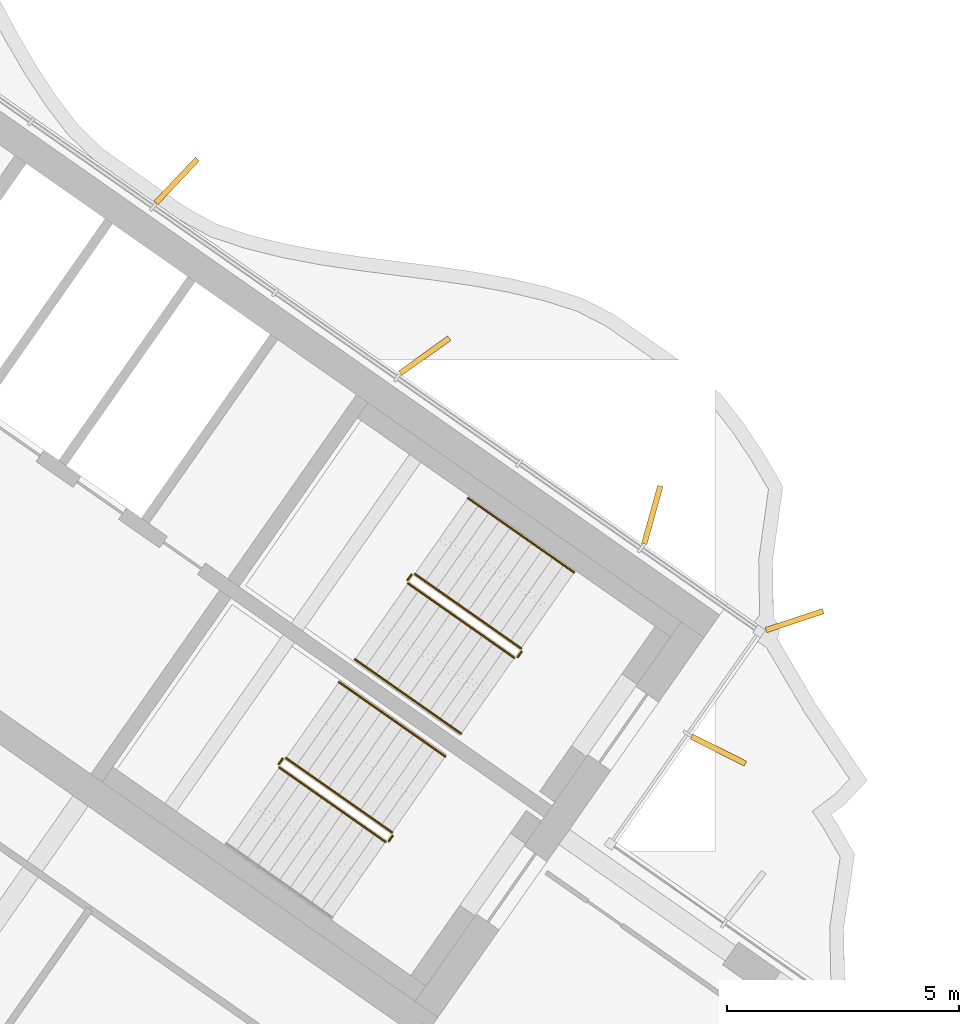
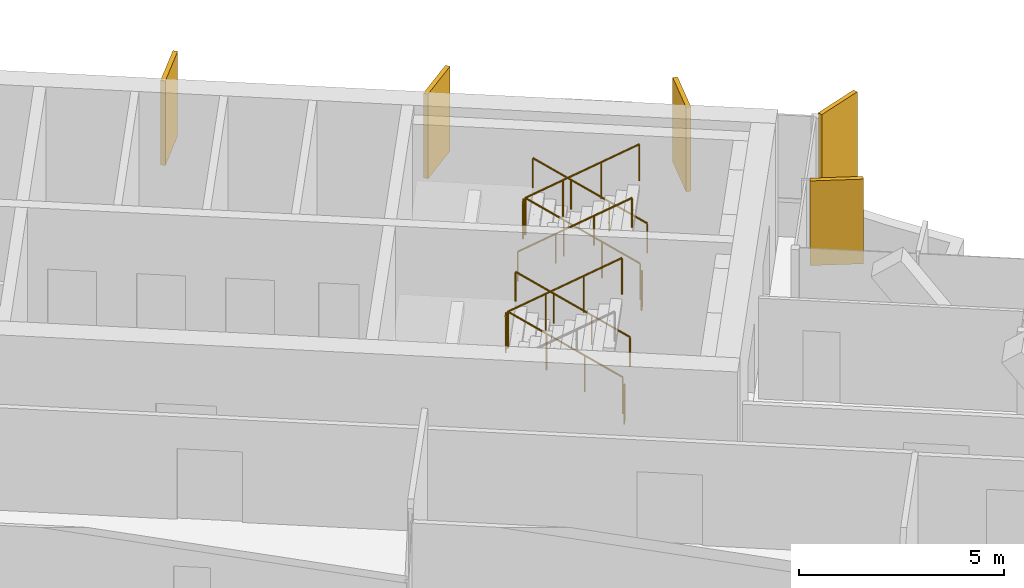
# One storey, part 17 of 18: 11 railings, 5 shading devices.
"""IFC4 building model written with IfcOpenShell, lengths in metres."""

import ifcopenshell
import ifcopenshell.guid

model = None  # the IFC model being written
_history = None  # IfcOwnerHistory: only IFC2X3 demands one
_inside = {}  # id of a spatial element -> (the spatial element, [elements in it])
_under = {}  # id of a project, library or spatial element -> (it, [spatial elements below it])
_declared = {}  # id of a project -> (the project, [libraries it declares])
_typed = {}  # id of a type object -> (the type object, [elements of that type])
_made_of = {}  # id of a material, layer set ... -> (it, [elements and type objects made of it])


def new_model(schema):
    """Start an empty IFC model of exactly this schema.

    Asked for "IFC4X3", IfcOpenShell would pick the latest addendum, in which some entities
    have other attributes; the version numbers below select the first issue.
    IFC2X3 requires an IfcOwnerHistory on every rooted entity: one is made here for all.
    """
    global model, _history
    if schema == "IFC4X3":
        model = ifcopenshell.file(schema_version=(4, 3, 0, 0))
    else:
        model = ifcopenshell.file(schema=schema)
    _inside.clear()
    _under.clear()
    _declared.clear()
    _typed.clear()
    _made_of.clear()
    _history = None
    if model.schema == "IFC2X3":
        org = make("IfcOrganization", Name="unknown")
        user = make(
            "IfcPersonAndOrganization",
            ThePerson=make("IfcPerson", FamilyName="unknown"),
            TheOrganization=org,
        )
        app = make(
            "IfcApplication",
            ApplicationDeveloper=org,
            Version="unknown",
            ApplicationFullName="unknown",
            ApplicationIdentifier="unknown",
        )
        _history = make(
            "IfcOwnerHistory",
            OwningUser=user,
            OwningApplication=app,
            ChangeAction="ADDED",
            CreationDate=0,
        )
    return model


def make(cls, **values):
    """One entity of the class cls with the attributes given. An attribute that is None is left unset."""
    return model.create_entity(
        cls, **{name: value for name, value in values.items() if value is not None}
    )


def rooted(cls, **values):
    """An entity with a GlobalId (a new one), such as an element, a storey or a relation."""
    return make(cls, GlobalId=ifcopenshell.guid.new(), OwnerHistory=_history, **values)


def si_unit(unit_type, name, prefix=None):
    """IfcSIUnit, for example si_unit("LENGTHUNIT", "METRE", prefix="MILLI")."""
    return make("IfcSIUnit", UnitType=unit_type, Prefix=prefix, Name=name)


def assignment(units):
    """IfcUnitAssignment: the units of a project."""
    return None if units is None else make("IfcUnitAssignment", Units=units)


def point(xyz):
    """IfcCartesianPoint."""
    return None if xyz is None else make("IfcCartesianPoint", Coordinates=xyz)


def direction(xyz):
    """IfcDirection."""
    return None if xyz is None else make("IfcDirection", DirectionRatios=xyz)


def frame(location, z_axis=None, x_axis=None):
    """IfcAxis2Placement3D, a coordinate frame: its origin and axes. An axis left out is left unset."""
    return make(
        "IfcAxis2Placement3D",
        Location=point(location),
        Axis=direction(z_axis),
        RefDirection=direction(x_axis),
    )


def frame_2d(location, x_axis=None):
    """IfcAxis2Placement2D, a coordinate frame in the plane: its origin and x axis."""
    return make(
        "IfcAxis2Placement2D", Location=point(location), RefDirection=direction(x_axis)
    )


def origin():
    """The frame at (0, 0, 0) with its axes left unset."""
    return frame((0.0, 0.0, 0.0))


def origin_2d():
    """The frame at (0, 0) in the plane with its x axis left unset."""
    return frame_2d((0.0, 0.0))


def place(relative_to, where):
    """IfcLocalPlacement: puts the frame where relative to a parent placement (None: the world)."""
    return make(
        "IfcLocalPlacement", PlacementRelTo=relative_to, RelativePlacement=where
    )


def context(
    kind, dimensions, precision=None, world=None, true_north=None, identifier=None
):
    """IfcGeometricRepresentationContext, for example the 3D "Model" context."""
    return make(
        "IfcGeometricRepresentationContext",
        ContextIdentifier=identifier,
        ContextType=kind,
        CoordinateSpaceDimension=dimensions,
        Precision=precision,
        WorldCoordinateSystem=world,
        TrueNorth=true_north,
    )


def subcontext(parent, identifier, kind, view, scale=None):
    """IfcGeometricRepresentationSubContext, for example "Body" below "Model"."""
    return make(
        "IfcGeometricRepresentationSubContext",
        ContextIdentifier=identifier,
        ContextType=kind,
        ParentContext=parent,
        TargetScale=scale,
        TargetView=view,
    )


def project(units=None, contexts=None):
    """IfcProject with its units and contexts."""
    return rooted(
        "IfcProject",
        Name="project",
        RepresentationContexts=contexts,
        UnitsInContext=assignment(units),
    )


def spatial(cls, under=None, at=None, **own):
    """A site, building, storey or space (cls), placed at a placement, below another one or the project."""
    s = rooted(cls, ObjectPlacement=at, **own)
    if under is not None:
        _under.setdefault(under.id(), (under, []))[1].append(s)
    return s


def profile(cls, at=None, kind="AREA", **sizes):
    """A parametric profile (cls). Its sizes go by their IFC names, for example OverallWidth=200.0."""
    return make(cls, ProfileType=kind, Position=at, **sizes)


def rectangle(**sizes):
    """IfcRectangleProfileDef."""
    return profile("IfcRectangleProfileDef", **sizes)


def circle(**sizes):
    """IfcCircleProfileDef."""
    return profile("IfcCircleProfileDef", **sizes)


def extrude(swept, where, along, depth):
    """IfcExtrudedAreaSolid: the profile swept, set in the frame where, extruded along a direction by depth."""
    return make(
        "IfcExtrudedAreaSolid",
        SweptArea=swept,
        Position=where,
        ExtrudedDirection=direction(along),
        Depth=depth,
    )


def shape(context_of_items, identifier, shape_type, items):
    """IfcShapeRepresentation: the items that make up one representation, for example the "Body"."""
    return make(
        "IfcShapeRepresentation",
        ContextOfItems=context_of_items,
        RepresentationIdentifier=identifier,
        RepresentationType=shape_type,
        Items=items,
    )


def material(Name=None, Category=None):
    """IfcMaterial."""
    return make("IfcMaterial", Name=Name, Category=Category)


def layer(
    of_material, thickness, ventilated=None, Name=None, Category=None, Priority=None
):
    """IfcMaterialLayer: one layer of a wall or slab, of a material (None: an air gap)."""
    return make(
        "IfcMaterialLayer",
        Material=of_material,
        LayerThickness=thickness,
        IsVentilated=ventilated,
        Name=Name,
        Category=Category,
        Priority=Priority,
    )


def layer_set(layers, Name=None):
    """IfcMaterialLayerSet."""
    return make("IfcMaterialLayerSet", MaterialLayers=layers, LayerSetName=Name)


def made_of(thing, what):
    """Note that an element or type object is made of a material, layer set ...; save() writes the relation."""
    if what is not None:
        _made_of.setdefault(what.id(), (what, []))[1].append(thing)
    return thing


def type_object(cls, material=None, **own):
    """A type object (cls), such as IfcWallType, which elements share."""
    return made_of(rooted(cls, **own), material)


def element(
    cls,
    number,
    at=None,
    inside=None,
    cuts=None,
    type_object=None,
    material=None,
    context=None,
    identifier="Body",
    shape_type=None,
    held_by="IfcProductDefinitionShape",
    body=None,
    shapes=None,
    **own,
):
    """One element of the class cls, such as IfcWall. Its Tag is "e" and its number.

    at: its placement. inside: the storey or other place that contains it. cuts: it is an
    opening in that element (IfcRelVoidsElement). A single representation is given by context,
    identifier, shape_type and body (its items); several are given by shapes. held_by: the class
    of the entity that holds the representations. save() writes the other relations.
    """
    e = rooted(cls, Tag="e%d" % number, ObjectPlacement=at, **own)
    if body is not None:
        shapes = [shape(context, identifier, shape_type, body)]
    if shapes is not None:
        e.Representation = make(held_by, Representations=shapes)
    if inside is not None:
        _inside.setdefault(inside.id(), (inside, []))[1].append(e)
    if cuts is not None:
        rooted(
            "IfcRelVoidsElement", RelatingBuildingElement=cuts, RelatedOpeningElement=e
        )
    if type_object is not None:
        _typed.setdefault(type_object.id(), (type_object, []))[1].append(e)
    return made_of(e, material)


def aggregate(whole, parts):
    """IfcRelAggregates: a whole, such as a stair, and the parts it consists of."""
    return rooted("IfcRelAggregates", RelatingObject=whole, RelatedObjects=parts)


def save(model, path):
    """Write the relations noted so far, then the file.

    IfcRelAggregates (storeys below a building ...), IfcRelContainedInSpatialStructure (elements
    in a storey), IfcRelDefinesByType, IfcRelAssociatesMaterial and IfcRelDeclares: one each for
    every whole, place, type object, material and project.
    """
    for whole, parts in _under.values():
        aggregate(whole, parts)
    for where, things in _inside.values():
        rooted(
            "IfcRelContainedInSpatialStructure",
            RelatedElements=things,
            RelatingStructure=where,
        )
    for kind, things in _typed.values():
        rooted("IfcRelDefinesByType", RelatedObjects=things, RelatingType=kind)
    for what, things in _made_of.values():
        rooted("IfcRelAssociatesMaterial", RelatedObjects=things, RelatingMaterial=what)
    for by, libraries in _declared.values():
        rooted("IfcRelDeclares", RelatingContext=by, RelatedDefinitions=libraries)
    model.write(path)


model = new_model("IFC4")

# Units and contexts
model_context = context("Model", 3, precision=1e-05, world=origin(), true_north=direction((0.0, 1.0)))
body_context = subcontext(model_context, "Body", "Model", "MODEL_VIEW")
ifc_project = project(units=[si_unit("LENGTHUNIT", "METRE"), si_unit("AREAUNIT", "SQUARE_METRE"), si_unit("VOLUMEUNIT", "CUBIC_METRE"), si_unit("PLANEANGLEUNIT", "RADIAN"), si_unit("MASSUNIT", "GRAM", prefix="KILO")], contexts=[model_context])

# Site, building, storey
site_placement = place(None, origin())
site = spatial("IfcSite", under=ifc_project, at=site_placement, CompositionType="ELEMENT")
building_placement = place(site_placement, origin())
building = spatial("IfcBuilding", under=site, at=building_placement, Name="Tel Ilan Convention Tower", CompositionType="ELEMENT")
storey_placement = place(building_placement, frame((0.0, 0.0, 268.300048828125)))
storey = spatial("IfcBuildingStorey", under=building, at=storey_placement, Name="L63", CompositionType="ELEMENT", Elevation=268.300048828125)

# Shading devices
ifc_material_1 = material(Name="Aluminium, bronze anodised", Category="aluminium")
ifc_layer = layer(ifc_material_1, 0.1201171875)
ifc_layer_set = layer_set([ifc_layer], Name="FIN BRONZE 1300x120")
shading_device_type = type_object("IfcShadingDeviceType", Name="FIN BRONZE 1300x120", PredefinedType="USERDEFINED", material=ifc_layer_set)
for number, where, z_axis, x_axis, name in (
    (1, (27.9404296875, -10.049072265625, 1.099853515625), (0.0, 0.0, 1.0), (0.893632640321, -0.448799180206, 0.0), "FIN"),
    (2, (29.583984375, -7.253173828125, 1.099853515625), (0.0, 0.0, 1.0), (0.949242643575, 0.314544756146, 0.0), "FIN"),
    (3, (26.51171875, -4.9736328125, 1.099853515625), (0.0, 0.0, 1.0), (0.268172612768, 0.963370878614, 0.0), "FIN"),
    (4, (21.600830078125, -1.534912109375, 1.099853515625), (0.0, 0.0, 1.0), (0.813552070258, 0.581492071294, 0.0), "FIN"),
    (5, (16.24658203125, 2.2373046875, 1.099853515625), (0.0, 0.0, 1.0), (0.686241637865, 0.727373641577, 0.0), "FIN"),
):
    element("IfcShadingDevice", number, at=place(storey_placement, frame(where, z_axis=z_axis, x_axis=x_axis)), inside=storey, type_object=shading_device_type, Name=name, ObjectType="FIN", PredefinedType="USERDEFINED", context=body_context, shape_type="SweptSolid", body=[
        extrude(rectangle(XDim=1.300048828125, YDim=0.1201171875, at=origin_2d()), origin(), (0.0, 0.0, 1.0), 2.52001953125),
    ])

# Railings
ifc_material_2 = material(Name="Stainless Steel Grade 316", Category="steel")
railing_type_1 = type_object("IfcRailingType", Name="Stainless Steel Stair Guard 1100 mm", PredefinedType="GUARDRAIL", material=ifc_material_2)
railing_1_placement = place(storey_placement, frame((23.6787109375, -7.8515625, 0.17724609375)))
element("IfcRailing", 6, at=railing_1_placement, inside=storey, type_object=railing_type_1, Name="L63 S3 stair guard 1", PredefinedType="GUARDRAIL", context=body_context, shape_type="SweptSolid", body=[
    extrude(circle(Radius=0.02392578125, at=origin_2d()), frame((0.0, 0.0, 1.076171875), z_axis=(-0.692084706163, 0.484621375041, 0.534940073605), x_axis=(-0.573591086599, -0.819141785879, 0.0)), (0.0, 0.0, 1.0), 3.313720703125),
    extrude(circle(Radius=0.02099609375, at=origin_2d()), origin(), (0.0, 0.0, 1.0), 1.052001953125),
    extrude(circle(Radius=0.02099609375, at=origin_2d()), frame((-0.764404296875, 0.535400390625, 0.5908203125)), (0.0, 0.0, 1.0), 1.052001953125),
    extrude(circle(Radius=0.02099609375, at=origin_2d()), frame((-1.529052734375, 1.070556640625, 1.181884765625)), (0.0, 0.0, 1.0), 1.052001953125),
    extrude(circle(Radius=0.02099609375, at=origin_2d()), frame((-2.29345703125, 1.60595703125, 1.772705078125)), (0.0, 0.0, 1.0), 1.052001953125),
])
railing_2_placement = place(storey_placement, frame((21.3154296875, -6.2578125, 1.949951171875)))
element("IfcRailing", 7, at=railing_2_placement, inside=storey, type_object=railing_type_1, Name="L63 S3 stair guard 2", PredefinedType="GUARDRAIL", context=body_context, shape_type="SweptSolid", body=[
    extrude(circle(Radius=0.02392578125, at=origin_2d()), frame((0.0, 0.0, 1.076171875), z_axis=(-0.573353020881, -0.819308436089, 0.0), x_axis=(0.819308436089, -0.573353020881, 0.0)), (0.0, 0.0, 1.0), 0.14990234375),
    extrude(circle(Radius=0.02099609375, at=origin_2d()), origin(), (0.0, 0.0, 1.0), 1.052001953125),
    extrude(circle(Radius=0.02099609375, at=origin_2d()), frame((-0.0859375, -0.122802734375, 0.0)), (0.0, 0.0, 1.0), 1.052001953125),
])
railing_3_placement = place(storey_placement, frame((21.24169921875, -6.4501953125, 2.127197265625)))
element("IfcRailing", 8, at=railing_3_placement, inside=storey, type_object=railing_type_1, Name="L63 S3 stair guard 3", PredefinedType="GUARDRAIL", context=body_context, shape_type="SweptSolid", body=[
    extrude(circle(Radius=0.02392578125, at=origin_2d()), frame((0.0, 0.0, 1.076171875), z_axis=(0.692098378994, -0.484653031975, 0.534893701956), x_axis=(0.573608623498, 0.819129505664, 0.0)), (0.0, 0.0, 1.0), 3.314208984375),
    extrude(circle(Radius=0.02099609375, at=origin_2d()), origin(), (0.0, 0.0, 1.0), 1.052001953125),
    extrude(circle(Radius=0.02099609375, at=origin_2d()), frame((0.7646484375, -0.535400390625, 0.5908203125)), (0.0, 0.0, 1.0), 1.052001953125),
    extrude(circle(Radius=0.02099609375, at=origin_2d()), frame((1.529052734375, -1.07080078125, 1.181884765625)), (0.0, 0.0, 1.0), 1.052001953125),
    extrude(circle(Radius=0.02099609375, at=origin_2d()), frame((2.293701171875, -1.606201171875, 1.772705078125)), (0.0, 0.0, 1.0), 1.052001953125),
])
railing_4_placement = place(storey_placement, frame((23.691162109375, -7.921142578125, 0.0)))
element("IfcRailing", 9, at=railing_4_placement, inside=storey, type_object=railing_type_1, Name="L63 S3 stair guard 4", PredefinedType="GUARDRAIL", context=body_context, shape_type="SweptSolid", body=[
    extrude(circle(Radius=0.02392578125, at=origin_2d()), frame((0.0, 0.0, 1.076171875), z_axis=(-0.574444878118, -0.818543268254, 0.0), x_axis=(0.818543268254, -0.574444878118, 0.0)), (0.0, 0.0, 1.0), 0.150146484375),
    extrude(circle(Radius=0.02099609375, at=origin_2d()), origin(), (0.0, 0.0, 1.0), 1.052001953125),
    extrude(circle(Radius=0.02099609375, at=origin_2d()), frame((-0.086181640625, -0.122802734375, 0.0)), (0.0, 0.0, 1.0), 1.052001953125),
])
railing_5_placement = place(storey_placement, frame((20.89697265625, -11.824462890625, 0.17724609375)))
element("IfcRailing", 10, at=railing_5_placement, inside=storey, type_object=railing_type_1, Name="L63 S4 stair guard 1", PredefinedType="GUARDRAIL", context=body_context, shape_type="SweptSolid", body=[
    extrude(circle(Radius=0.02392578125, at=origin_2d()), frame((0.0, 0.0, 1.076171875), z_axis=(-0.692123088272, 0.484596665743, 0.534912798717), x_axis=(-0.573550118428, -0.819170471667, 0.0)), (0.0, 0.0, 1.0), 3.31396484375),
    extrude(circle(Radius=0.02099609375, at=origin_2d()), origin(), (0.0, 0.0, 1.0), 1.052001953125),
    extrude(circle(Radius=0.02099609375, at=origin_2d()), frame((-0.7646484375, 0.535400390625, 0.5908203125)), (0.0, 0.0, 1.0), 1.052001953125),
    extrude(circle(Radius=0.02099609375, at=origin_2d()), frame((-1.529052734375, 1.070556640625, 1.181884765625)), (0.0, 0.0, 1.0), 1.052001953125),
    extrude(circle(Radius=0.02099609375, at=origin_2d()), frame((-2.293701171875, 1.60595703125, 1.772705078125)), (0.0, 0.0, 1.0), 1.052001953125),
])
railing_6_placement = place(storey_placement, frame((18.53369140625, -10.230712890625, 1.949951171875)))
element("IfcRailing", 11, at=railing_6_placement, inside=storey, type_object=railing_type_1, Name="L63 S4 stair guard 2", PredefinedType="GUARDRAIL", context=body_context, shape_type="SweptSolid", body=[
    extrude(circle(Radius=0.02392578125, at=origin_2d()), frame((0.0, 0.0, 1.076171875), z_axis=(-0.573353020881, -0.819308436089, 0.0), x_axis=(0.819308436089, -0.573353020881, 0.0)), (0.0, 0.0, 1.0), 0.14990234375),
    extrude(circle(Radius=0.02099609375, at=origin_2d()), origin(), (0.0, 0.0, 1.0), 1.052001953125),
    extrude(circle(Radius=0.02099609375, at=origin_2d()), frame((-0.0859375, -0.122802734375, 0.0)), (0.0, 0.0, 1.0), 1.052001953125),
])
railing_7_placement = place(storey_placement, frame((18.4599609375, -10.423095703125, 2.127197265625)))
element("IfcRailing", 12, at=railing_7_placement, inside=storey, type_object=railing_type_1, Name="L63 S4 stair guard 3", PredefinedType="GUARDRAIL", context=body_context, shape_type="SweptSolid", body=[
    extrude(circle(Radius=0.02392578125, at=origin_2d()), frame((0.0, 0.0, 1.076171875), z_axis=(0.692098378994, -0.484653031975, 0.534893701956), x_axis=(0.573608623498, 0.819129505664, 0.0)), (0.0, 0.0, 1.0), 3.314208984375),
    extrude(circle(Radius=0.02099609375, at=origin_2d()), origin(), (0.0, 0.0, 1.0), 1.052001953125),
    extrude(circle(Radius=0.02099609375, at=origin_2d()), frame((0.7646484375, -0.535400390625, 0.5908203125)), (0.0, 0.0, 1.0), 1.052001953125),
    extrude(circle(Radius=0.02099609375, at=origin_2d()), frame((1.529052734375, -1.07080078125, 1.181884765625)), (0.0, 0.0, 1.0), 1.052001953125),
    extrude(circle(Radius=0.02099609375, at=origin_2d()), frame((2.293701171875, -1.606201171875, 1.772705078125)), (0.0, 0.0, 1.0), 1.052001953125),
])
railing_8_placement = place(storey_placement, frame((20.9091796875, -11.89404296875, 0.0)))
element("IfcRailing", 13, at=railing_8_placement, inside=storey, type_object=railing_type_1, Name="L63 S4 stair guard 4", PredefinedType="GUARDRAIL", context=body_context, shape_type="SweptSolid", body=[
    extrude(circle(Radius=0.02392578125, at=origin_2d()), frame((0.0, 0.0, 1.076171875), z_axis=(-0.573353020881, -0.819308436089, 0.0), x_axis=(0.819308436089, -0.573353020881, 0.0)), (0.0, 0.0, 1.0), 0.14990234375),
    extrude(circle(Radius=0.02099609375, at=origin_2d()), origin(), (0.0, 0.0, 1.0), 1.052001953125),
    extrude(circle(Radius=0.02099609375, at=origin_2d()), frame((-0.0859375, -0.122802734375, 0.0)), (0.0, 0.0, 1.0), 1.052001953125),
])
ifc_material_3 = material(Name="Stainless Steel Grade 316", Category="steel")
railing_type_2 = type_object("IfcRailingType", Name="Stainless Steel Stair Handrail 900 mm", PredefinedType="HANDRAIL", material=ifc_material_3)
railing_9_placement = place(storey_placement, frame((24.825927734375, -6.213134765625, 0.17724609375)))
element("IfcRailing", 14, at=railing_9_placement, inside=storey, type_object=railing_type_2, Name="L63 S3 stair handrail 1", PredefinedType="HANDRAIL", context=body_context, shape_type="SweptSolid", body=[
    extrude(circle(Radius=0.02392578125, at=origin_2d()), frame((0.0, 0.0, 0.8759765625), z_axis=(-0.692123088272, 0.484596665743, 0.534912798717), x_axis=(-0.573550118428, -0.819170471667, 0.0)), (0.0, 0.0, 1.0), 3.31396484375),
    extrude(circle(Radius=0.02099609375, at=origin_2d()), origin(), (0.0, 0.0, 1.0), 0.851806640625),
    extrude(circle(Radius=0.02099609375, at=origin_2d()), frame((-0.7646484375, 0.535400390625, 0.5908203125)), (0.0, 0.0, 1.0), 0.851806640625),
    extrude(circle(Radius=0.02099609375, at=origin_2d()), frame((-1.529052734375, 1.070556640625, 1.181884765625)), (0.0, 0.0, 1.0), 0.851806640625),
    extrude(circle(Radius=0.02099609375, at=origin_2d()), frame((-2.293701171875, 1.60595703125, 1.772705078125)), (0.0, 0.0, 1.0), 0.851806640625),
])
railing_10_placement = place(storey_placement, frame((20.0947265625, -8.088623046875, 2.127197265625)))
element("IfcRailing", 15, at=railing_10_placement, inside=storey, type_object=railing_type_2, Name="L63 S3 stair handrail 2", PredefinedType="HANDRAIL", context=body_context, shape_type="SweptSolid", body=[
    extrude(circle(Radius=0.02392578125, at=origin_2d()), frame((0.0, 0.0, 0.8759765625), z_axis=(0.692084706163, -0.484621375041, 0.534940073605), x_axis=(0.573591086599, 0.819141785879, 0.0)), (0.0, 0.0, 1.0), 3.313720703125),
    extrude(circle(Radius=0.02099609375, at=origin_2d()), origin(), (0.0, 0.0, 1.0), 0.851806640625),
    extrude(circle(Radius=0.02099609375, at=origin_2d()), frame((0.764404296875, -0.535400390625, 0.5908203125)), (0.0, 0.0, 1.0), 0.851806640625),
    extrude(circle(Radius=0.02099609375, at=origin_2d()), frame((1.529052734375, -1.070556640625, 1.181884765625)), (0.0, 0.0, 1.0), 0.851806640625),
    extrude(circle(Radius=0.02099609375, at=origin_2d()), frame((2.29345703125, -1.60595703125, 1.772705078125)), (0.0, 0.0, 1.0), 0.851806640625),
])
railing_11_placement = place(storey_placement, frame((22.044189453125, -10.18603515625, 0.17724609375)))
element("IfcRailing", 16, at=railing_11_placement, inside=storey, type_object=railing_type_2, Name="L63 S4 stair handrail 1", PredefinedType="HANDRAIL", context=body_context, shape_type="SweptSolid", body=[
    extrude(circle(Radius=0.02392578125, at=origin_2d()), frame((0.0, 0.0, 0.8759765625), z_axis=(-0.692123088272, 0.484596665743, 0.534912798717), x_axis=(-0.573550118428, -0.819170471667, 0.0)), (0.0, 0.0, 1.0), 3.31396484375),
    extrude(circle(Radius=0.02099609375, at=origin_2d()), origin(), (0.0, 0.0, 1.0), 0.851806640625),
    extrude(circle(Radius=0.02099609375, at=origin_2d()), frame((-0.7646484375, 0.535400390625, 0.5908203125)), (0.0, 0.0, 1.0), 0.851806640625),
    extrude(circle(Radius=0.02099609375, at=origin_2d()), frame((-1.529052734375, 1.070556640625, 1.181884765625)), (0.0, 0.0, 1.0), 0.851806640625),
    extrude(circle(Radius=0.02099609375, at=origin_2d()), frame((-2.293701171875, 1.60595703125, 1.772705078125)), (0.0, 0.0, 1.0), 0.851806640625),
])

save(model, "model.ifc")
